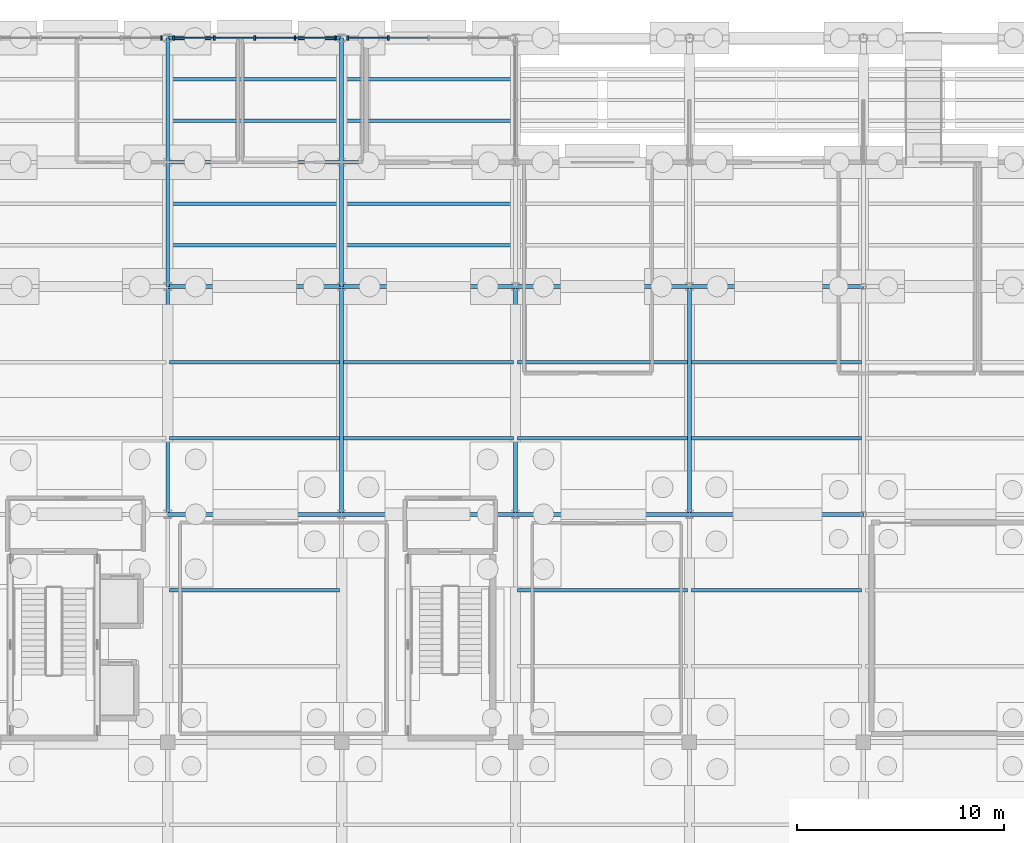
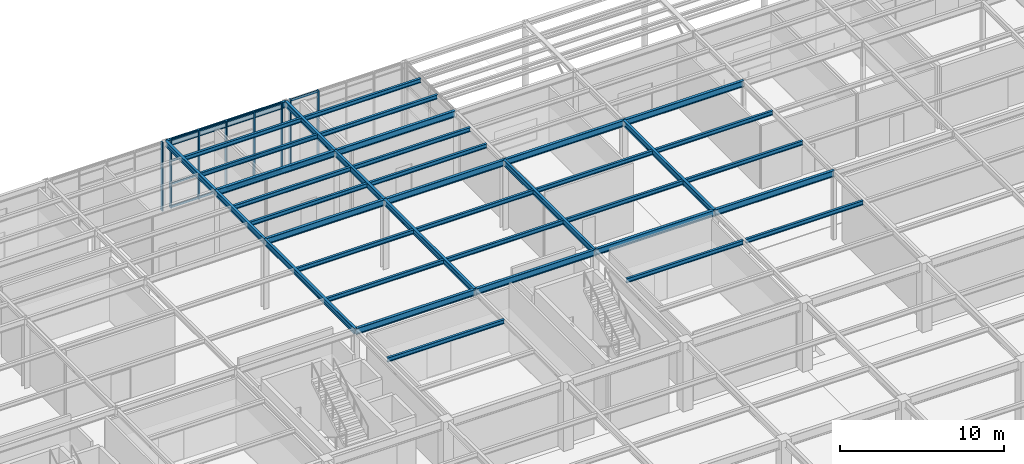
# One storey, part 62 of 129: 38 beams, 29 members, 3 elements without a shape of their own.
"""IFC4 building model written with IfcOpenShell, lengths in metres."""

from ifc_helpers import new_model, si_unit, direction, frame, origin, origin_2d, place, context, subcontext, project, spatial, rectangle, i_section, extrude, material, layer, layer_set, material_profile, profile_set, type_object, element, aggregate, save


model = new_model("IFC4")

# Units and contexts
model_context = context("Model", 3, precision=1e-05, world=origin(), true_north=direction((0.0, 1.0)))
body_context = subcontext(model_context, "Body", "Model", "MODEL_VIEW")
ifc_project = project(units=[si_unit("LENGTHUNIT", "METRE"), si_unit("AREAUNIT", "SQUARE_METRE"), si_unit("VOLUMEUNIT", "CUBIC_METRE"), si_unit("PLANEANGLEUNIT", "RADIAN"), si_unit("MASSUNIT", "GRAM", prefix="KILO")], contexts=[model_context])

# Site, building, storey
site_placement = place(None, origin())
site = spatial("IfcSite", under=ifc_project, at=site_placement, CompositionType="ELEMENT")
building_placement = place(site_placement, origin())
building = spatial("IfcBuilding", under=site, at=building_placement, Name="Sitalva Quay Ferry Terminal", CompositionType="ELEMENT")
storey_placement = place(building_placement, origin())
storey = spatial("IfcBuildingStorey", under=building, at=storey_placement, Name="L01", CompositionType="ELEMENT", Elevation=0.0)

# Beams
ifc_material_1 = material(Name="Structural Steel S355JR", Category="steel")
ifc_material_profile_1 = material_profile(ifc_material_1, i_section(OverallWidth=0.180908203125, OverallDepth=0.4169921875, WebThickness=0.010986328125, FlangeThickness=0.018310546875, FilletRadius=0.012939453125, at=origin_2d()), Name="W410x85")
ifc_profile_set_1 = profile_set([ifc_material_profile_1], Name="Structural Steel S355JR")
beam_type_1 = type_object("IfcBeamType", Name="Beam_W410x85", PredefinedType="BEAM", material=ifc_profile_set_1)
beam_1_placement = place(storey_placement, frame((100.800048828125, 89.0, 4.91162109375), z_axis=(0.0, 1.0, 0.0), x_axis=(-1.0, 0.0, 0.0)))
element("IfcBeam", 1, at=beam_1_placement, inside=storey, type_object=beam_type_1, Name="L01 Primary Y girder 0534", PredefinedType="BEAM", context=body_context, shape_type="SweptSolid", body=[
    extrude(i_section(OverallWidth=0.180908203125, OverallDepth=0.4169921875, WebThickness=0.010986328125, FlangeThickness=0.018310546875, FilletRadius=0.012939453125, at=origin_2d()), origin(), (0.0, 0.0, 1.0), 11.0),
])
beam_2_placement = place(storey_placement, frame((100.800048828125, 100.0, 4.91162109375), z_axis=(0.0, 1.0, 0.0), x_axis=(-1.0, 0.0, 0.0)))
element("IfcBeam", 2, at=beam_2_placement, inside=storey, type_object=beam_type_1, Name="L01 Primary Y girder 0535", PredefinedType="BEAM", context=body_context, shape_type="SweptSolid", body=[
    extrude(i_section(OverallWidth=0.180908203125, OverallDepth=0.4169921875, WebThickness=0.010986328125, FlangeThickness=0.018310546875, FilletRadius=0.012939453125, at=origin_2d()), origin(), (0.0, 0.0, 1.0), 6.0),
])
beam_3_placement = place(storey_placement, frame((109.199951171875, 89.0, 4.91162109375), z_axis=(0.0, 1.0, 0.0), x_axis=(-1.0, 0.0, 0.0)))
element("IfcBeam", 3, at=beam_3_placement, inside=storey, type_object=beam_type_1, Name="L01 Primary Y girder 0537", PredefinedType="BEAM", context=body_context, shape_type="SweptSolid", body=[
    extrude(i_section(OverallWidth=0.180908203125, OverallDepth=0.4169921875, WebThickness=0.010986328125, FlangeThickness=0.018310546875, FilletRadius=0.012939453125, at=origin_2d()), origin(), (0.0, 0.0, 1.0), 11.0),
])
beam_4_placement = place(storey_placement, frame((109.199951171875, 100.0, 4.91162109375), z_axis=(0.0, 1.0, 0.0), x_axis=(-1.0, 0.0, 0.0)))
element("IfcBeam", 4, at=beam_4_placement, inside=storey, type_object=beam_type_1, Name="L01 Primary Y girder 0538", PredefinedType="BEAM", context=body_context, shape_type="SweptSolid", body=[
    extrude(i_section(OverallWidth=0.180908203125, OverallDepth=0.4169921875, WebThickness=0.010986328125, FlangeThickness=0.018310546875, FilletRadius=0.012939453125, at=origin_2d()), origin(), (0.0, 0.0, 1.0), 6.0),
])
for number, where, z_axis, x_axis, name in (
    (5, (117.60009765625, 89.0, 4.91162109375), (0.0, 1.0, 0.0), (-1.0, 0.0, 0.0), "L01 Primary Y girder 0540"),
    (6, (126.0, 89.0, 4.91162109375), (0.0, 1.0, 0.0), (-1.0, 0.0, 0.0), "L01 Primary Y girder 0543"),
):
    element("IfcBeam", number, at=place(storey_placement, frame(where, z_axis=z_axis, x_axis=x_axis)), inside=storey, type_object=beam_type_1, Name=name, PredefinedType="BEAM", context=body_context, shape_type="SweptSolid", body=[
        extrude(i_section(OverallWidth=0.180908203125, OverallDepth=0.4169921875, WebThickness=0.010986328125, FlangeThickness=0.018310546875, FilletRadius=0.012939453125, at=origin_2d()), origin(), (0.0, 0.0, 1.0), 11.0),
    ])
for number, where, z_axis, x_axis, name in (
    (7, (100.800048828125, 106.0, 4.91162109375), (0.0, 1.0, 0.0), (-1.0, 0.0, 0.0), "L01 Primary Y girder 0642"),
    (8, (109.199951171875, 106.0, 4.91162109375), (0.0, 1.0, 0.0), (-1.0, 0.0, 0.0), "L01 Primary Y girder 0643"),
):
    element("IfcBeam", number, at=place(storey_placement, frame(where, z_axis=z_axis, x_axis=x_axis)), inside=storey, type_object=beam_type_1, Name=name, PredefinedType="BEAM", context=body_context, shape_type="SweptSolid", body=[
        extrude(i_section(OverallWidth=0.180908203125, OverallDepth=0.4169921875, WebThickness=0.010986328125, FlangeThickness=0.018310546875, FilletRadius=0.012939453125, at=origin_2d()), origin(), (0.0, 0.0, 1.0), 6.0),
    ])
ifc_material_2 = material(Name="Structural Steel S355JR", Category="steel")
ifc_material_profile_2 = material_profile(ifc_material_2, i_section(OverallWidth=0.19091796875, OverallDepth=0.4599609375, WebThickness=0.010009765625, FlangeThickness=0.01611328125, FilletRadius=0.013916015625, at=origin_2d()), Name="W460x82")
ifc_profile_set_2 = profile_set([ifc_material_profile_2], Name="Structural Steel S355JR")
beam_type_2 = type_object("IfcBeamType", Name="Beam_W460x82", PredefinedType="BEAM", material=ifc_profile_set_2)
beam_5_placement = place(storey_placement, frame((100.800048828125, 89.0, 4.889892578125), z_axis=(1.0, 0.0, 0.0), x_axis=(0.0, 1.0, 0.0)))
element("IfcBeam", 9, at=beam_5_placement, inside=storey, type_object=beam_type_2, Name="L01 Primary X girder 0494", PredefinedType="BEAM", context=body_context, shape_type="SweptSolid", body=[
    extrude(i_section(OverallWidth=0.19091796875, OverallDepth=0.4599609375, WebThickness=0.010009765625, FlangeThickness=0.01611328125, FilletRadius=0.013916015625, at=origin_2d()), origin(), (0.0, 0.0, 1.0), 8.39990234375),
])
beam_6_placement = place(storey_placement, frame((109.199951171875, 89.0, 4.889892578125), z_axis=(1.0, 0.0, 0.0), x_axis=(0.0, 1.0, 0.0)))
element("IfcBeam", 10, at=beam_6_placement, inside=storey, type_object=beam_type_2, Name="L01 Primary X girder 0495", PredefinedType="BEAM", context=body_context, shape_type="SweptSolid", body=[
    extrude(i_section(OverallWidth=0.19091796875, OverallDepth=0.4599609375, WebThickness=0.010009765625, FlangeThickness=0.01611328125, FilletRadius=0.013916015625, at=origin_2d()), origin(), (0.0, 0.0, 1.0), 8.400146484375),
])
for number, where, z_axis, x_axis, name in (
    (11, (117.60009765625, 89.0, 4.889892578125), (1.0, 0.0, 0.0), (0.0, 1.0, 0.0), "L01 Primary X girder 0496"),
    (12, (126.0, 89.0, 4.889892578125), (1.0, 0.0, 0.0), (0.0, 1.0, 0.0), "L01 Primary X girder 0497"),
    (13, (100.800048828125, 100.0, 4.889892578125), (1.0, 0.0, 0.0), (0.0, 1.0, 0.0), "L01 Primary X girder 0505"),
):
    element("IfcBeam", number, at=place(storey_placement, frame(where, z_axis=z_axis, x_axis=x_axis)), inside=storey, type_object=beam_type_2, Name=name, PredefinedType="BEAM", context=body_context, shape_type="SweptSolid", body=[
        extrude(i_section(OverallWidth=0.19091796875, OverallDepth=0.4599609375, WebThickness=0.010009765625, FlangeThickness=0.01611328125, FilletRadius=0.013916015625, at=origin_2d()), origin(), (0.0, 0.0, 1.0), 8.39990234375),
    ])
beam_7_placement = place(storey_placement, frame((109.199951171875, 100.0, 4.889892578125), z_axis=(1.0, 0.0, 0.0), x_axis=(0.0, 1.0, 0.0)))
element("IfcBeam", 14, at=beam_7_placement, inside=storey, type_object=beam_type_2, Name="L01 Primary X girder 0506", PredefinedType="BEAM", context=body_context, shape_type="SweptSolid", body=[
    extrude(i_section(OverallWidth=0.19091796875, OverallDepth=0.4599609375, WebThickness=0.010009765625, FlangeThickness=0.01611328125, FilletRadius=0.013916015625, at=origin_2d()), origin(), (0.0, 0.0, 1.0), 8.400146484375),
])
for number, where, z_axis, x_axis, name in (
    (15, (117.60009765625, 100.0, 4.889892578125), (1.0, 0.0, 0.0), (0.0, 1.0, 0.0), "L01 Primary X girder 0507"),
    (16, (126.0, 100.0, 4.889892578125), (1.0, 0.0, 0.0), (0.0, 1.0, 0.0), "L01 Primary X girder 0508"),
    (17, (100.800048828125, 106.0, 4.889892578125), (1.0, 0.0, 0.0), (0.0, 1.0, 0.0), "L01 Primary X girder 0516"),
):
    element("IfcBeam", number, at=place(storey_placement, frame(where, z_axis=z_axis, x_axis=x_axis)), inside=storey, type_object=beam_type_2, Name=name, PredefinedType="BEAM", context=body_context, shape_type="SweptSolid", body=[
        extrude(i_section(OverallWidth=0.19091796875, OverallDepth=0.4599609375, WebThickness=0.010009765625, FlangeThickness=0.01611328125, FilletRadius=0.013916015625, at=origin_2d()), origin(), (0.0, 0.0, 1.0), 8.39990234375),
    ])
beam_8_placement = place(storey_placement, frame((109.199951171875, 106.0, 4.889892578125), z_axis=(1.0, 0.0, 0.0), x_axis=(0.0, 1.0, 0.0)))
element("IfcBeam", 18, at=beam_8_placement, inside=storey, type_object=beam_type_2, Name="L01 Primary X girder 0517", PredefinedType="BEAM", context=body_context, shape_type="SweptSolid", body=[
    extrude(i_section(OverallWidth=0.19091796875, OverallDepth=0.4599609375, WebThickness=0.010009765625, FlangeThickness=0.01611328125, FilletRadius=0.013916015625, at=origin_2d()), origin(), (0.0, 0.0, 1.0), 8.400146484375),
])
beam_9_placement = place(storey_placement, frame((100.800048828125, 112.0, 4.889892578125), z_axis=(1.0, 0.0, 0.0), x_axis=(0.0, 1.0, 0.0)))
element("IfcBeam", 19, at=beam_9_placement, inside=storey, type_object=beam_type_2, Name="L01 Primary X girder 0630", PredefinedType="BEAM", context=body_context, shape_type="SweptSolid", body=[
    extrude(i_section(OverallWidth=0.19091796875, OverallDepth=0.4599609375, WebThickness=0.010009765625, FlangeThickness=0.01611328125, FilletRadius=0.013916015625, at=origin_2d()), origin(), (0.0, 0.0, 1.0), 8.39990234375),
])
ifc_material_3 = material(Name="Structural Steel S355JR", Category="steel")
ifc_material_profile_3 = material_profile(ifc_material_3, i_section(OverallWidth=0.166015625, OverallDepth=0.31298828125, WebThickness=0.006591796875, FlangeThickness=0.01123046875, FilletRadius=0.010986328125, at=origin_2d()), Name="W310x45")
ifc_profile_set_3 = profile_set([ifc_material_profile_3], Name="Structural Steel S355JR")
beam_type_3 = type_object("IfcBeamType", Name="Joist_W310x45", PredefinedType="JOIST", material=ifc_profile_set_3)
beam_10_placement = place(storey_placement, frame((100.890380859375, 85.333251953125, 4.96337890625), z_axis=(1.0, 0.0, 0.0), x_axis=(0.0, 1.0, 0.0)))
element("IfcBeam", 20, at=beam_10_placement, inside=storey, type_object=beam_type_3, Name="L01 Secondary joist 0568", PredefinedType="JOIST", context=body_context, shape_type="SweptSolid", body=[
    extrude(i_section(OverallWidth=0.166015625, OverallDepth=0.31298828125, WebThickness=0.006591796875, FlangeThickness=0.01123046875, FilletRadius=0.010986328125, at=origin_2d()), origin(), (0.0, 0.0, 1.0), 8.21923828125),
])
for number, where, z_axis, x_axis, name in (
    (21, (117.6904296875, 85.333251953125, 4.96337890625), (1.0, 0.0, 0.0), (0.0, 1.0, 0.0), "L01 Secondary joist 0569"),
    (22, (126.090576171875, 85.333251953125, 4.96337890625), (1.0, 0.0, 0.0), (0.0, 1.0, 0.0), "L01 Secondary joist 0570"),
):
    element("IfcBeam", number, at=place(storey_placement, frame(where, z_axis=z_axis, x_axis=x_axis)), inside=storey, type_object=beam_type_3, Name=name, PredefinedType="JOIST", context=body_context, shape_type="SweptSolid", body=[
        extrude(i_section(OverallWidth=0.166015625, OverallDepth=0.31298828125, WebThickness=0.006591796875, FlangeThickness=0.01123046875, FilletRadius=0.010986328125, at=origin_2d()), origin(), (0.0, 0.0, 1.0), 8.218994140625),
    ])
beam_11_placement = place(storey_placement, frame((100.890380859375, 92.666748046875, 4.96337890625), z_axis=(1.0, 0.0, 0.0), x_axis=(0.0, 1.0, 0.0)))
element("IfcBeam", 23, at=beam_11_placement, inside=storey, type_object=beam_type_3, Name="L01 Secondary joist 0577", PredefinedType="JOIST", context=body_context, shape_type="SweptSolid", body=[
    extrude(i_section(OverallWidth=0.166015625, OverallDepth=0.31298828125, WebThickness=0.006591796875, FlangeThickness=0.01123046875, FilletRadius=0.010986328125, at=origin_2d()), origin(), (0.0, 0.0, 1.0), 8.21923828125),
])
for number, where, z_axis, x_axis, name in (
    (24, (109.29052734375, 92.666748046875, 4.96337890625), (1.0, 0.0, 0.0), (0.0, 1.0, 0.0), "L01 Secondary joist 0578"),
    (25, (117.6904296875, 92.666748046875, 4.96337890625), (1.0, 0.0, 0.0), (0.0, 1.0, 0.0), "L01 Secondary joist 0579"),
    (26, (126.090576171875, 92.666748046875, 4.96337890625), (1.0, 0.0, 0.0), (0.0, 1.0, 0.0), "L01 Secondary joist 0580"),
):
    element("IfcBeam", number, at=place(storey_placement, frame(where, z_axis=z_axis, x_axis=x_axis)), inside=storey, type_object=beam_type_3, Name=name, PredefinedType="JOIST", context=body_context, shape_type="SweptSolid", body=[
        extrude(i_section(OverallWidth=0.166015625, OverallDepth=0.31298828125, WebThickness=0.006591796875, FlangeThickness=0.01123046875, FilletRadius=0.010986328125, at=origin_2d()), origin(), (0.0, 0.0, 1.0), 8.218994140625),
    ])
beam_12_placement = place(storey_placement, frame((100.890380859375, 96.333251953125, 4.96337890625), z_axis=(1.0, 0.0, 0.0), x_axis=(0.0, 1.0, 0.0)))
element("IfcBeam", 27, at=beam_12_placement, inside=storey, type_object=beam_type_3, Name="L01 Secondary joist 0588", PredefinedType="JOIST", context=body_context, shape_type="SweptSolid", body=[
    extrude(i_section(OverallWidth=0.166015625, OverallDepth=0.31298828125, WebThickness=0.006591796875, FlangeThickness=0.01123046875, FilletRadius=0.010986328125, at=origin_2d()), origin(), (0.0, 0.0, 1.0), 8.21923828125),
])
for number, where, z_axis, x_axis, name in (
    (28, (109.29052734375, 96.333251953125, 4.96337890625), (1.0, 0.0, 0.0), (0.0, 1.0, 0.0), "L01 Secondary joist 0589"),
    (29, (117.6904296875, 96.333251953125, 4.96337890625), (1.0, 0.0, 0.0), (0.0, 1.0, 0.0), "L01 Secondary joist 0590"),
    (30, (126.090576171875, 96.333251953125, 4.96337890625), (1.0, 0.0, 0.0), (0.0, 1.0, 0.0), "L01 Secondary joist 0591"),
):
    element("IfcBeam", number, at=place(storey_placement, frame(where, z_axis=z_axis, x_axis=x_axis)), inside=storey, type_object=beam_type_3, Name=name, PredefinedType="JOIST", context=body_context, shape_type="SweptSolid", body=[
        extrude(i_section(OverallWidth=0.166015625, OverallDepth=0.31298828125, WebThickness=0.006591796875, FlangeThickness=0.01123046875, FilletRadius=0.010986328125, at=origin_2d()), origin(), (0.0, 0.0, 1.0), 8.218994140625),
    ])
beam_13_placement = place(storey_placement, frame((100.890380859375, 102.0, 4.96337890625), z_axis=(1.0, 0.0, 0.0), x_axis=(0.0, 1.0, 0.0)))
element("IfcBeam", 31, at=beam_13_placement, inside=storey, type_object=beam_type_3, Name="L01 Secondary joist 0599", PredefinedType="JOIST", context=body_context, shape_type="SweptSolid", body=[
    extrude(i_section(OverallWidth=0.166015625, OverallDepth=0.31298828125, WebThickness=0.006591796875, FlangeThickness=0.01123046875, FilletRadius=0.010986328125, at=origin_2d()), origin(), (0.0, 0.0, 1.0), 8.21923828125),
])
beam_14_placement = place(storey_placement, frame((109.29052734375, 102.0, 4.96337890625), z_axis=(1.0, 0.0, 0.0), x_axis=(0.0, 1.0, 0.0)))
element("IfcBeam", 32, at=beam_14_placement, inside=storey, type_object=beam_type_3, Name="L01 Secondary joist 0600", PredefinedType="JOIST", context=body_context, shape_type="SweptSolid", body=[
    extrude(i_section(OverallWidth=0.166015625, OverallDepth=0.31298828125, WebThickness=0.006591796875, FlangeThickness=0.01123046875, FilletRadius=0.010986328125, at=origin_2d()), origin(), (0.0, 0.0, 1.0), 8.218994140625),
])
beam_15_placement = place(storey_placement, frame((100.890380859375, 104.0, 4.96337890625), z_axis=(1.0, 0.0, 0.0), x_axis=(0.0, 1.0, 0.0)))
element("IfcBeam", 33, at=beam_15_placement, inside=storey, type_object=beam_type_3, Name="L01 Secondary joist 0610", PredefinedType="JOIST", context=body_context, shape_type="SweptSolid", body=[
    extrude(i_section(OverallWidth=0.166015625, OverallDepth=0.31298828125, WebThickness=0.006591796875, FlangeThickness=0.01123046875, FilletRadius=0.010986328125, at=origin_2d()), origin(), (0.0, 0.0, 1.0), 8.21923828125),
])
beam_16_placement = place(storey_placement, frame((109.29052734375, 104.0, 4.96337890625), z_axis=(1.0, 0.0, 0.0), x_axis=(0.0, 1.0, 0.0)))
element("IfcBeam", 34, at=beam_16_placement, inside=storey, type_object=beam_type_3, Name="L01 Secondary joist 0611", PredefinedType="JOIST", context=body_context, shape_type="SweptSolid", body=[
    extrude(i_section(OverallWidth=0.166015625, OverallDepth=0.31298828125, WebThickness=0.006591796875, FlangeThickness=0.01123046875, FilletRadius=0.010986328125, at=origin_2d()), origin(), (0.0, 0.0, 1.0), 8.218994140625),
])
beam_17_placement = place(storey_placement, frame((100.890380859375, 108.0, 4.96337890625), z_axis=(1.0, 0.0, 0.0), x_axis=(0.0, 1.0, 0.0)))
element("IfcBeam", 35, at=beam_17_placement, inside=storey, type_object=beam_type_3, Name="L01 Secondary joist 0657", PredefinedType="JOIST", context=body_context, shape_type="SweptSolid", body=[
    extrude(i_section(OverallWidth=0.166015625, OverallDepth=0.31298828125, WebThickness=0.006591796875, FlangeThickness=0.01123046875, FilletRadius=0.010986328125, at=origin_2d()), origin(), (0.0, 0.0, 1.0), 8.21923828125),
])
beam_18_placement = place(storey_placement, frame((109.29052734375, 108.0, 4.96337890625), z_axis=(1.0, 0.0, 0.0), x_axis=(0.0, 1.0, 0.0)))
element("IfcBeam", 36, at=beam_18_placement, inside=storey, type_object=beam_type_3, Name="L01 Secondary joist 0658", PredefinedType="JOIST", context=body_context, shape_type="SweptSolid", body=[
    extrude(i_section(OverallWidth=0.166015625, OverallDepth=0.31298828125, WebThickness=0.006591796875, FlangeThickness=0.01123046875, FilletRadius=0.010986328125, at=origin_2d()), origin(), (0.0, 0.0, 1.0), 8.218994140625),
])
beam_19_placement = place(storey_placement, frame((100.890380859375, 110.0, 4.96337890625), z_axis=(1.0, 0.0, 0.0), x_axis=(0.0, 1.0, 0.0)))
element("IfcBeam", 37, at=beam_19_placement, inside=storey, type_object=beam_type_3, Name="L01 Secondary joist 0665", PredefinedType="JOIST", context=body_context, shape_type="SweptSolid", body=[
    extrude(i_section(OverallWidth=0.166015625, OverallDepth=0.31298828125, WebThickness=0.006591796875, FlangeThickness=0.01123046875, FilletRadius=0.010986328125, at=origin_2d()), origin(), (0.0, 0.0, 1.0), 8.21923828125),
])
beam_20_placement = place(storey_placement, frame((109.29052734375, 110.0, 4.96337890625), z_axis=(1.0, 0.0, 0.0), x_axis=(0.0, 1.0, 0.0)))
element("IfcBeam", 38, at=beam_20_placement, inside=storey, type_object=beam_type_3, Name="L01 Secondary joist 0666", PredefinedType="JOIST", context=body_context, shape_type="SweptSolid", body=[
    extrude(i_section(OverallWidth=0.166015625, OverallDepth=0.31298828125, WebThickness=0.006591796875, FlangeThickness=0.01123046875, FilletRadius=0.010986328125, at=origin_2d()), origin(), (0.0, 0.0, 1.0), 8.218994140625),
])

# Curtain wall, member
ifc_material_4 = material(Name="Anodised Aluminium & Low-E Glazing", Category="aluminium")
ifc_layer = layer(ifc_material_4, 0.159912109375)
ifc_layer_set = layer_set([ifc_layer], Name="Anodised Aluminium & Low-E Glazing")
curtain_wall_type = type_object("IfcCurtainWallType", Name="CW_Concourse_Unitised", PredefinedType="USERDEFINED", material=ifc_layer_set)
curtain_wall_1_placement = place(storey_placement, origin())
curtain_wall_1 = element("IfcCurtainWall", 39, at=curtain_wall_1_placement, inside=storey, type_object=curtain_wall_type, Name="Forecourt arrival hall glazing L01 (CW-L01-103)", ObjectType="CURTAIN_WALL", PredefinedType="USERDEFINED")
ifc_material_5 = material(Name="Anodised Aluminium 6063-T6", Category="aluminium")
ifc_material_profile_4 = material_profile(ifc_material_5, rectangle(XDim=0.0849609375, YDim=0.2099609375, at=origin_2d()), Name="ALU85x210")
ifc_profile_set_4 = profile_set([ifc_material_profile_4], Name="Anodised Aluminium 6063-T6")
member_type_1 = type_object("IfcMemberType", Name="Mullion_Alu_85x210", PredefinedType="MULLION", material=ifc_profile_set_4)
member_1_placement = place(storey_placement, frame((100.5, 112.0, 0.0), z_axis=(0.0, 0.0, 1.0), x_axis=(1.0, 0.0, 0.0)))
member_1 = element("IfcMember", 40, at=member_1_placement, type_object=member_type_1, Name="CW-L01-103-M4", PredefinedType="MULLION", context=body_context, shape_type="SweptSolid", body=[
    extrude(rectangle(XDim=0.0849609375, YDim=0.2099609375, at=origin_2d()), origin(), (0.0, 0.0, 1.0), 5.1201171875),
])
aggregate(curtain_wall_1, [member_1])

# Curtain wall, members
curtain_wall_2_placement = place(storey_placement, origin())
curtain_wall_2 = element("IfcCurtainWall", 41, at=curtain_wall_2_placement, inside=storey, type_object=curtain_wall_type, Name="Forecourt arrival hall glazing L01 (CW-L01-104)", ObjectType="CURTAIN_WALL", PredefinedType="USERDEFINED")
member_2_placement = place(storey_placement, frame((101.10009765625, 112.0, 0.0), z_axis=(0.0, 0.0, 1.0), x_axis=(1.0, 0.0, 0.0)))
member_2 = element("IfcMember", 42, at=member_2_placement, type_object=member_type_1, Name="CW-L01-104-M0", PredefinedType="MULLION", context=body_context, shape_type="SweptSolid", body=[
    extrude(rectangle(XDim=0.0849609375, YDim=0.2099609375, at=origin_2d()), origin(), (0.0, 0.0, 1.0), 5.1201171875),
])
member_3_placement = place(storey_placement, frame((103.050048828125, 112.0, 0.0), z_axis=(0.0, 0.0, 1.0), x_axis=(1.0, 0.0, 0.0)))
member_3 = element("IfcMember", 43, at=member_3_placement, type_object=member_type_1, Name="CW-L01-104-M1", PredefinedType="MULLION", context=body_context, shape_type="SweptSolid", body=[
    extrude(rectangle(XDim=0.0849609375, YDim=0.2099609375, at=origin_2d()), origin(), (0.0, 0.0, 1.0), 5.1201171875),
])
member_4_placement = place(storey_placement, frame((105.0, 112.0, 0.0), z_axis=(0.0, 0.0, 1.0), x_axis=(1.0, 0.0, 0.0)))
member_4 = element("IfcMember", 44, at=member_4_placement, type_object=member_type_1, Name="CW-L01-104-M2", PredefinedType="MULLION", context=body_context, shape_type="SweptSolid", body=[
    extrude(rectangle(XDim=0.0849609375, YDim=0.2099609375, at=origin_2d()), origin(), (0.0, 0.0, 1.0), 5.1201171875),
])
member_5_placement = place(storey_placement, frame((106.949951171875, 112.0, 0.0), z_axis=(0.0, 0.0, 1.0), x_axis=(1.0, 0.0, 0.0)))
member_5 = element("IfcMember", 45, at=member_5_placement, type_object=member_type_1, Name="CW-L01-104-M3", PredefinedType="MULLION", context=body_context, shape_type="SweptSolid", body=[
    extrude(rectangle(XDim=0.0849609375, YDim=0.2099609375, at=origin_2d()), origin(), (0.0, 0.0, 1.0), 5.1201171875),
])
member_6_placement = place(storey_placement, frame((108.89990234375, 112.0, 0.0), z_axis=(0.0, 0.0, 1.0), x_axis=(1.0, 0.0, 0.0)))
member_6 = element("IfcMember", 46, at=member_6_placement, type_object=member_type_1, Name="CW-L01-104-M4", PredefinedType="MULLION", context=body_context, shape_type="SweptSolid", body=[
    extrude(rectangle(XDim=0.0849609375, YDim=0.2099609375, at=origin_2d()), origin(), (0.0, 0.0, 1.0), 5.1201171875),
])

curtain_wall_3_placement = place(storey_placement, origin())
curtain_wall_3 = element("IfcCurtainWall", 47, at=curtain_wall_3_placement, inside=storey, type_object=curtain_wall_type, Name="Forecourt arrival hall glazing L01 (CW-L01-105)", ObjectType="CURTAIN_WALL", PredefinedType="USERDEFINED")
member_7_placement = place(storey_placement, frame((109.5, 112.0, 0.0), z_axis=(0.0, 0.0, 1.0), x_axis=(1.0, 0.0, 0.0)))
member_7 = element("IfcMember", 48, at=member_7_placement, type_object=member_type_1, Name="CW-L01-105-M0", PredefinedType="MULLION", context=body_context, shape_type="SweptSolid", body=[
    extrude(rectangle(XDim=0.0849609375, YDim=0.2099609375, at=origin_2d()), origin(), (0.0, 0.0, 1.0), 5.1201171875),
])
member_8_placement = place(storey_placement, frame((111.449951171875, 112.0, 0.0), z_axis=(0.0, 0.0, 1.0), x_axis=(1.0, 0.0, 0.0)))
member_8 = element("IfcMember", 49, at=member_8_placement, type_object=member_type_1, Name="CW-L01-105-M1", PredefinedType="MULLION", context=body_context, shape_type="SweptSolid", body=[
    extrude(rectangle(XDim=0.0849609375, YDim=0.2099609375, at=origin_2d()), origin(), (0.0, 0.0, 1.0), 5.1201171875),
])

# Member
ifc_material_6 = material(Name="Anodised Aluminium 6063-T6", Category="aluminium")
ifc_material_profile_5 = material_profile(ifc_material_6, rectangle(XDim=0.074951171875, YDim=0.14990234375, at=origin_2d()), Name="ALU75x150")
ifc_profile_set_5 = profile_set([ifc_material_profile_5], Name="Anodised Aluminium 6063-T6")
member_type_2 = type_object("IfcMemberType", Name="Transom_Alu_75x140", PredefinedType="MULLION", material=ifc_profile_set_5)
member_9_placement = place(storey_placement, frame((101.142578125, 112.0, 0.074951171875), z_axis=(1.0, 0.0, 0.0), x_axis=(0.0, 1.0, 0.0)))
member_9 = element("IfcMember", 50, at=member_9_placement, type_object=member_type_2, Name="CW-L01-104-T0-0", ObjectType="TRANSOM", PredefinedType="USERDEFINED", context=body_context, shape_type="SweptSolid", body=[
    extrude(rectangle(XDim=0.074951171875, YDim=0.14990234375, at=origin_2d()), origin(), (0.0, 0.0, 1.0), 1.864990234375),
])

member_10_placement = place(storey_placement, frame((101.142578125, 112.0, 1.78173828125), z_axis=(1.0, 0.0, 0.0), x_axis=(0.0, 1.0, 0.0)))
member_10 = element("IfcMember", 51, at=member_10_placement, type_object=member_type_2, Name="CW-L01-104-T0-1", ObjectType="TRANSOM", PredefinedType="USERDEFINED", context=body_context, shape_type="SweptSolid", body=[
    extrude(rectangle(XDim=0.074951171875, YDim=0.14990234375, at=origin_2d()), origin(), (0.0, 0.0, 1.0), 1.864990234375),
])

member_11_placement = place(storey_placement, frame((101.142578125, 112.0, 3.48828125), z_axis=(1.0, 0.0, 0.0), x_axis=(0.0, 1.0, 0.0)))
member_11 = element("IfcMember", 52, at=member_11_placement, type_object=member_type_2, Name="CW-L01-104-T0-2", ObjectType="TRANSOM", PredefinedType="USERDEFINED", context=body_context, shape_type="SweptSolid", body=[
    extrude(rectangle(XDim=0.074951171875, YDim=0.14990234375, at=origin_2d()), origin(), (0.0, 0.0, 1.0), 1.864990234375),
])

member_12_placement = place(storey_placement, frame((101.142578125, 112.0, 5.044921875), z_axis=(1.0, 0.0, 0.0), x_axis=(0.0, 1.0, 0.0)))
member_12 = element("IfcMember", 53, at=member_12_placement, type_object=member_type_2, Name="CW-L01-104-T0-3", ObjectType="TRANSOM", PredefinedType="USERDEFINED", context=body_context, shape_type="SweptSolid", body=[
    extrude(rectangle(XDim=0.074951171875, YDim=0.14990234375, at=origin_2d()), origin(), (0.0, 0.0, 1.0), 1.864990234375),
])

member_13_placement = place(storey_placement, frame((103.092529296875, 112.0, 0.074951171875), z_axis=(1.0, 0.0, 0.0), x_axis=(0.0, 1.0, 0.0)))
member_13 = element("IfcMember", 54, at=member_13_placement, type_object=member_type_2, Name="CW-L01-104-T1-0", ObjectType="TRANSOM", PredefinedType="USERDEFINED", context=body_context, shape_type="SweptSolid", body=[
    extrude(rectangle(XDim=0.074951171875, YDim=0.14990234375, at=origin_2d()), origin(), (0.0, 0.0, 1.0), 1.864990234375),
])

member_14_placement = place(storey_placement, frame((103.092529296875, 112.0, 1.78173828125), z_axis=(1.0, 0.0, 0.0), x_axis=(0.0, 1.0, 0.0)))
member_14 = element("IfcMember", 55, at=member_14_placement, type_object=member_type_2, Name="CW-L01-104-T1-1", ObjectType="TRANSOM", PredefinedType="USERDEFINED", context=body_context, shape_type="SweptSolid", body=[
    extrude(rectangle(XDim=0.074951171875, YDim=0.14990234375, at=origin_2d()), origin(), (0.0, 0.0, 1.0), 1.864990234375),
])

member_15_placement = place(storey_placement, frame((103.092529296875, 112.0, 3.48828125), z_axis=(1.0, 0.0, 0.0), x_axis=(0.0, 1.0, 0.0)))
member_15 = element("IfcMember", 56, at=member_15_placement, type_object=member_type_2, Name="CW-L01-104-T1-2", ObjectType="TRANSOM", PredefinedType="USERDEFINED", context=body_context, shape_type="SweptSolid", body=[
    extrude(rectangle(XDim=0.074951171875, YDim=0.14990234375, at=origin_2d()), origin(), (0.0, 0.0, 1.0), 1.864990234375),
])

member_16_placement = place(storey_placement, frame((103.092529296875, 112.0, 5.044921875), z_axis=(1.0, 0.0, 0.0), x_axis=(0.0, 1.0, 0.0)))
member_16 = element("IfcMember", 57, at=member_16_placement, type_object=member_type_2, Name="CW-L01-104-T1-3", ObjectType="TRANSOM", PredefinedType="USERDEFINED", context=body_context, shape_type="SweptSolid", body=[
    extrude(rectangle(XDim=0.074951171875, YDim=0.14990234375, at=origin_2d()), origin(), (0.0, 0.0, 1.0), 1.864990234375),
])

member_17_placement = place(storey_placement, frame((105.04248046875, 112.0, 0.074951171875), z_axis=(1.0, 0.0, 0.0), x_axis=(0.0, 1.0, 0.0)))
member_17 = element("IfcMember", 58, at=member_17_placement, type_object=member_type_2, Name="CW-L01-104-T2-0", ObjectType="TRANSOM", PredefinedType="USERDEFINED", context=body_context, shape_type="SweptSolid", body=[
    extrude(rectangle(XDim=0.074951171875, YDim=0.14990234375, at=origin_2d()), origin(), (0.0, 0.0, 1.0), 1.864990234375),
])

member_18_placement = place(storey_placement, frame((105.04248046875, 112.0, 1.78173828125), z_axis=(1.0, 0.0, 0.0), x_axis=(0.0, 1.0, 0.0)))
member_18 = element("IfcMember", 59, at=member_18_placement, type_object=member_type_2, Name="CW-L01-104-T2-1", ObjectType="TRANSOM", PredefinedType="USERDEFINED", context=body_context, shape_type="SweptSolid", body=[
    extrude(rectangle(XDim=0.074951171875, YDim=0.14990234375, at=origin_2d()), origin(), (0.0, 0.0, 1.0), 1.864990234375),
])

member_19_placement = place(storey_placement, frame((105.04248046875, 112.0, 3.48828125), z_axis=(1.0, 0.0, 0.0), x_axis=(0.0, 1.0, 0.0)))
member_19 = element("IfcMember", 60, at=member_19_placement, type_object=member_type_2, Name="CW-L01-104-T2-2", ObjectType="TRANSOM", PredefinedType="USERDEFINED", context=body_context, shape_type="SweptSolid", body=[
    extrude(rectangle(XDim=0.074951171875, YDim=0.14990234375, at=origin_2d()), origin(), (0.0, 0.0, 1.0), 1.864990234375),
])

member_20_placement = place(storey_placement, frame((105.04248046875, 112.0, 5.044921875), z_axis=(1.0, 0.0, 0.0), x_axis=(0.0, 1.0, 0.0)))
member_20 = element("IfcMember", 61, at=member_20_placement, type_object=member_type_2, Name="CW-L01-104-T2-3", ObjectType="TRANSOM", PredefinedType="USERDEFINED", context=body_context, shape_type="SweptSolid", body=[
    extrude(rectangle(XDim=0.074951171875, YDim=0.14990234375, at=origin_2d()), origin(), (0.0, 0.0, 1.0), 1.864990234375),
])

member_21_placement = place(storey_placement, frame((106.992431640625, 112.0, 0.074951171875), z_axis=(1.0, 0.0, 0.0), x_axis=(0.0, 1.0, 0.0)))
member_21 = element("IfcMember", 62, at=member_21_placement, type_object=member_type_2, Name="CW-L01-104-T3-0", ObjectType="TRANSOM", PredefinedType="USERDEFINED", context=body_context, shape_type="SweptSolid", body=[
    extrude(rectangle(XDim=0.074951171875, YDim=0.14990234375, at=origin_2d()), origin(), (0.0, 0.0, 1.0), 1.864990234375),
])

member_22_placement = place(storey_placement, frame((106.992431640625, 112.0, 1.78173828125), z_axis=(1.0, 0.0, 0.0), x_axis=(0.0, 1.0, 0.0)))
member_22 = element("IfcMember", 63, at=member_22_placement, type_object=member_type_2, Name="CW-L01-104-T3-1", ObjectType="TRANSOM", PredefinedType="USERDEFINED", context=body_context, shape_type="SweptSolid", body=[
    extrude(rectangle(XDim=0.074951171875, YDim=0.14990234375, at=origin_2d()), origin(), (0.0, 0.0, 1.0), 1.864990234375),
])

member_23_placement = place(storey_placement, frame((106.992431640625, 112.0, 3.48828125), z_axis=(1.0, 0.0, 0.0), x_axis=(0.0, 1.0, 0.0)))
member_23 = element("IfcMember", 64, at=member_23_placement, type_object=member_type_2, Name="CW-L01-104-T3-2", ObjectType="TRANSOM", PredefinedType="USERDEFINED", context=body_context, shape_type="SweptSolid", body=[
    extrude(rectangle(XDim=0.074951171875, YDim=0.14990234375, at=origin_2d()), origin(), (0.0, 0.0, 1.0), 1.864990234375),
])

member_24_placement = place(storey_placement, frame((106.992431640625, 112.0, 5.044921875), z_axis=(1.0, 0.0, 0.0), x_axis=(0.0, 1.0, 0.0)))
member_24 = element("IfcMember", 65, at=member_24_placement, type_object=member_type_2, Name="CW-L01-104-T3-3", ObjectType="TRANSOM", PredefinedType="USERDEFINED", context=body_context, shape_type="SweptSolid", body=[
    extrude(rectangle(XDim=0.074951171875, YDim=0.14990234375, at=origin_2d()), origin(), (0.0, 0.0, 1.0), 1.864990234375),
])

aggregate(curtain_wall_2, [member_2, member_3, member_4, member_5, member_6, member_9, member_10, member_11, member_12, member_13, member_14, member_15, member_16, member_17, member_18, member_19, member_20, member_21, member_22, member_23, member_24])

member_25_placement = place(storey_placement, frame((109.54248046875, 112.0, 0.074951171875), z_axis=(1.0, 0.0, 0.0), x_axis=(0.0, 1.0, 0.0)))
member_25 = element("IfcMember", 66, at=member_25_placement, type_object=member_type_2, Name="CW-L01-105-T0-0", ObjectType="TRANSOM", PredefinedType="USERDEFINED", context=body_context, shape_type="SweptSolid", body=[
    extrude(rectangle(XDim=0.074951171875, YDim=0.14990234375, at=origin_2d()), origin(), (0.0, 0.0, 1.0), 1.864990234375),
])

member_26_placement = place(storey_placement, frame((109.54248046875, 112.0, 1.78173828125), z_axis=(1.0, 0.0, 0.0), x_axis=(0.0, 1.0, 0.0)))
member_26 = element("IfcMember", 67, at=member_26_placement, type_object=member_type_2, Name="CW-L01-105-T0-1", ObjectType="TRANSOM", PredefinedType="USERDEFINED", context=body_context, shape_type="SweptSolid", body=[
    extrude(rectangle(XDim=0.074951171875, YDim=0.14990234375, at=origin_2d()), origin(), (0.0, 0.0, 1.0), 1.864990234375),
])

member_27_placement = place(storey_placement, frame((109.54248046875, 112.0, 3.48828125), z_axis=(1.0, 0.0, 0.0), x_axis=(0.0, 1.0, 0.0)))
member_27 = element("IfcMember", 68, at=member_27_placement, type_object=member_type_2, Name="CW-L01-105-T0-2", ObjectType="TRANSOM", PredefinedType="USERDEFINED", context=body_context, shape_type="SweptSolid", body=[
    extrude(rectangle(XDim=0.074951171875, YDim=0.14990234375, at=origin_2d()), origin(), (0.0, 0.0, 1.0), 1.864990234375),
])

member_28_placement = place(storey_placement, frame((109.54248046875, 112.0, 5.044921875), z_axis=(1.0, 0.0, 0.0), x_axis=(0.0, 1.0, 0.0)))
member_28 = element("IfcMember", 69, at=member_28_placement, type_object=member_type_2, Name="CW-L01-105-T0-3", ObjectType="TRANSOM", PredefinedType="USERDEFINED", context=body_context, shape_type="SweptSolid", body=[
    extrude(rectangle(XDim=0.074951171875, YDim=0.14990234375, at=origin_2d()), origin(), (0.0, 0.0, 1.0), 1.864990234375),
])

member_29_placement = place(storey_placement, frame((111.492431640625, 112.0, 0.074951171875), z_axis=(1.0, 0.0, 0.0), x_axis=(0.0, 1.0, 0.0)))
member_29 = element("IfcMember", 70, at=member_29_placement, type_object=member_type_2, Name="CW-L01-105-T1-0", ObjectType="TRANSOM", PredefinedType="USERDEFINED", context=body_context, shape_type="SweptSolid", body=[
    extrude(rectangle(XDim=0.074951171875, YDim=0.14990234375, at=origin_2d()), origin(), (0.0, 0.0, 1.0), 1.864990234375),
])

aggregate(curtain_wall_3, [member_7, member_8, member_25, member_26, member_27, member_28, member_29])

save(model, "model.ifc")
